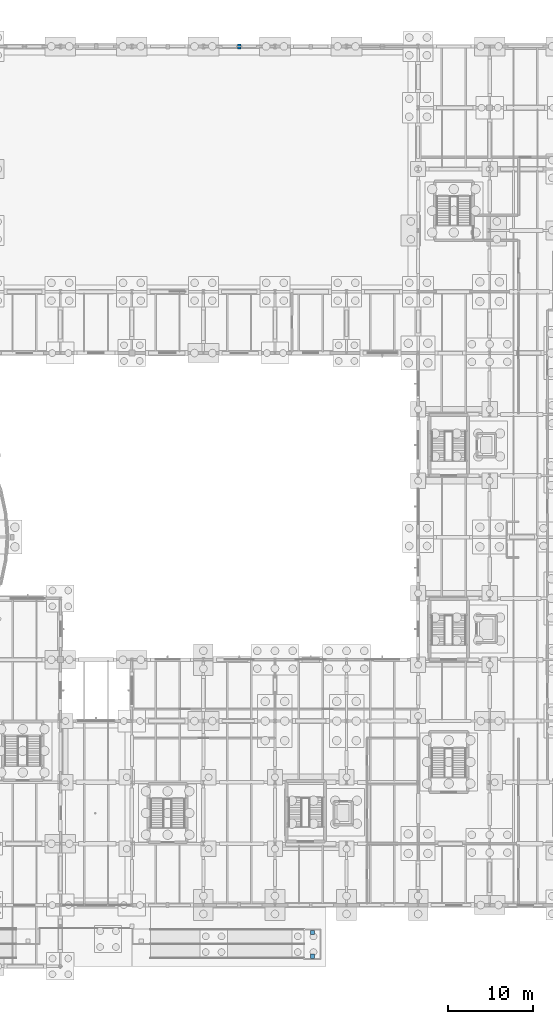
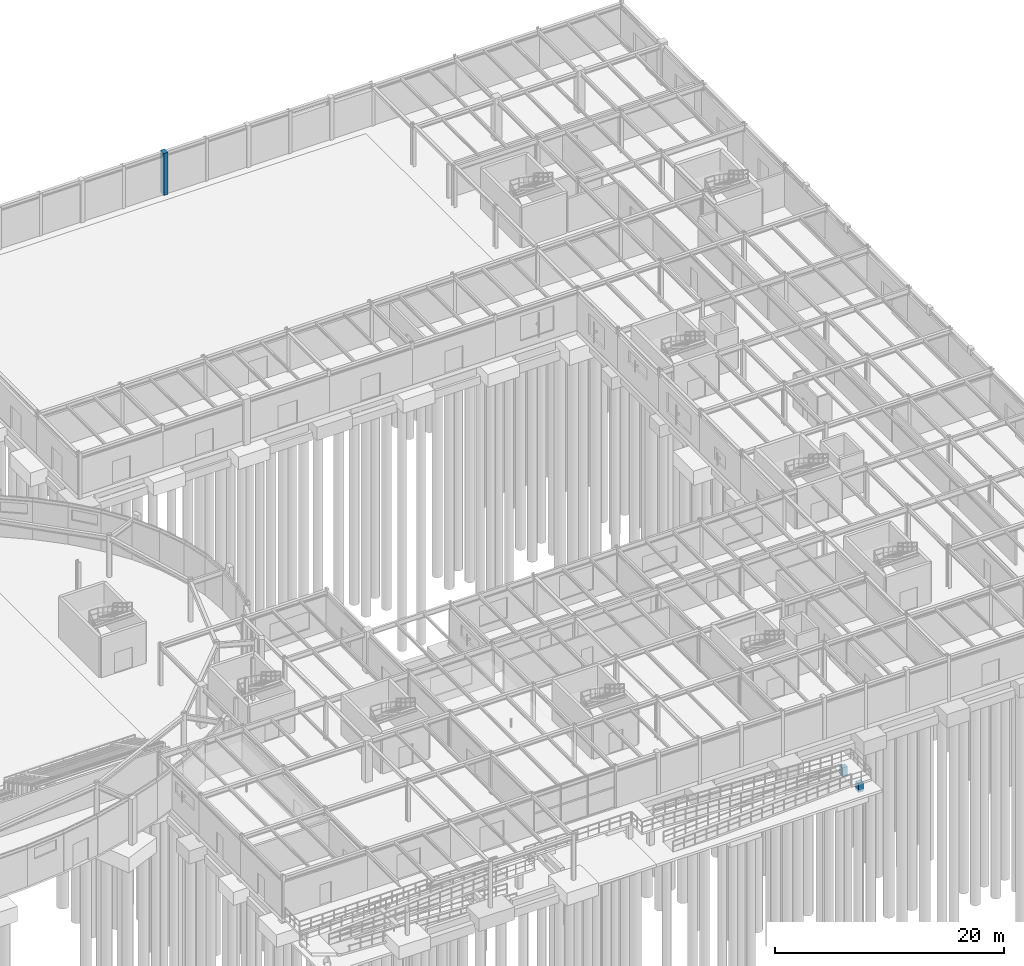
# One storey, part 25 of 93: 3 columns.
"""IFC4 building model written with IfcOpenShell, lengths in metres."""

import ifcopenshell
import ifcopenshell.guid

model = None  # the IFC model being written
_history = None  # IfcOwnerHistory: only IFC2X3 demands one
_inside = {}  # id of a spatial element -> (the spatial element, [elements in it])
_under = {}  # id of a project, library or spatial element -> (it, [spatial elements below it])
_declared = {}  # id of a project -> (the project, [libraries it declares])
_typed = {}  # id of a type object -> (the type object, [elements of that type])
_made_of = {}  # id of a material, layer set ... -> (it, [elements and type objects made of it])


def new_model(schema):
    """Start an empty IFC model of exactly this schema.

    Asked for "IFC4X3", IfcOpenShell would pick the latest addendum, in which some entities
    have other attributes; the version numbers below select the first issue.
    IFC2X3 requires an IfcOwnerHistory on every rooted entity: one is made here for all.
    """
    global model, _history
    if schema == "IFC4X3":
        model = ifcopenshell.file(schema_version=(4, 3, 0, 0))
    else:
        model = ifcopenshell.file(schema=schema)
    _inside.clear()
    _under.clear()
    _declared.clear()
    _typed.clear()
    _made_of.clear()
    _history = None
    if model.schema == "IFC2X3":
        org = make("IfcOrganization", Name="unknown")
        user = make(
            "IfcPersonAndOrganization",
            ThePerson=make("IfcPerson", FamilyName="unknown"),
            TheOrganization=org,
        )
        app = make(
            "IfcApplication",
            ApplicationDeveloper=org,
            Version="unknown",
            ApplicationFullName="unknown",
            ApplicationIdentifier="unknown",
        )
        _history = make(
            "IfcOwnerHistory",
            OwningUser=user,
            OwningApplication=app,
            ChangeAction="ADDED",
            CreationDate=0,
        )
    return model


def make(cls, **values):
    """One entity of the class cls with the attributes given. An attribute that is None is left unset."""
    return model.create_entity(
        cls, **{name: value for name, value in values.items() if value is not None}
    )


def rooted(cls, **values):
    """An entity with a GlobalId (a new one), such as an element, a storey or a relation."""
    return make(cls, GlobalId=ifcopenshell.guid.new(), OwnerHistory=_history, **values)


def si_unit(unit_type, name, prefix=None):
    """IfcSIUnit, for example si_unit("LENGTHUNIT", "METRE", prefix="MILLI")."""
    return make("IfcSIUnit", UnitType=unit_type, Prefix=prefix, Name=name)


def derived_unit(unit_type, elements):
    """IfcDerivedUnit: a product of units, each with its exponent."""
    return make(
        "IfcDerivedUnit",
        Elements=[
            make("IfcDerivedUnitElement", Unit=unit, Exponent=power)
            for unit, power in elements
        ],
        UnitType=unit_type,
    )


def assignment(units):
    """IfcUnitAssignment: the units of a project."""
    return None if units is None else make("IfcUnitAssignment", Units=units)


def point(xyz):
    """IfcCartesianPoint."""
    return None if xyz is None else make("IfcCartesianPoint", Coordinates=xyz)


def direction(xyz):
    """IfcDirection."""
    return None if xyz is None else make("IfcDirection", DirectionRatios=xyz)


def frame(location, z_axis=None, x_axis=None):
    """IfcAxis2Placement3D, a coordinate frame: its origin and axes. An axis left out is left unset."""
    return make(
        "IfcAxis2Placement3D",
        Location=point(location),
        Axis=direction(z_axis),
        RefDirection=direction(x_axis),
    )


def frame_2d(location, x_axis=None):
    """IfcAxis2Placement2D, a coordinate frame in the plane: its origin and x axis."""
    return make(
        "IfcAxis2Placement2D", Location=point(location), RefDirection=direction(x_axis)
    )


def origin():
    """The frame at (0, 0, 0) with its axes left unset."""
    return frame((0.0, 0.0, 0.0))


def origin_2d():
    """The frame at (0, 0) in the plane with its x axis left unset."""
    return frame_2d((0.0, 0.0))


def place(relative_to, where):
    """IfcLocalPlacement: puts the frame where relative to a parent placement (None: the world)."""
    return make(
        "IfcLocalPlacement", PlacementRelTo=relative_to, RelativePlacement=where
    )


def context(
    kind, dimensions, precision=None, world=None, true_north=None, identifier=None
):
    """IfcGeometricRepresentationContext, for example the 3D "Model" context."""
    return make(
        "IfcGeometricRepresentationContext",
        ContextIdentifier=identifier,
        ContextType=kind,
        CoordinateSpaceDimension=dimensions,
        Precision=precision,
        WorldCoordinateSystem=world,
        TrueNorth=true_north,
    )


def subcontext(parent, identifier, kind, view, scale=None):
    """IfcGeometricRepresentationSubContext, for example "Body" below "Model"."""
    return make(
        "IfcGeometricRepresentationSubContext",
        ContextIdentifier=identifier,
        ContextType=kind,
        ParentContext=parent,
        TargetScale=scale,
        TargetView=view,
    )


def project(units=None, contexts=None):
    """IfcProject with its units and contexts."""
    return rooted(
        "IfcProject",
        Name="project",
        RepresentationContexts=contexts,
        UnitsInContext=assignment(units),
    )


def spatial(cls, under=None, at=None, **own):
    """A site, building, storey or space (cls), placed at a placement, below another one or the project."""
    s = rooted(cls, ObjectPlacement=at, **own)
    if under is not None:
        _under.setdefault(under.id(), (under, []))[1].append(s)
    return s


def profile(cls, at=None, kind="AREA", **sizes):
    """A parametric profile (cls). Its sizes go by their IFC names, for example OverallWidth=200.0."""
    return make(cls, ProfileType=kind, Position=at, **sizes)


def rectangle(**sizes):
    """IfcRectangleProfileDef."""
    return profile("IfcRectangleProfileDef", **sizes)


def extrude(swept, where, along, depth):
    """IfcExtrudedAreaSolid: the profile swept, set in the frame where, extruded along a direction by depth."""
    return make(
        "IfcExtrudedAreaSolid",
        SweptArea=swept,
        Position=where,
        ExtrudedDirection=direction(along),
        Depth=depth,
    )


def shape(context_of_items, identifier, shape_type, items):
    """IfcShapeRepresentation: the items that make up one representation, for example the "Body"."""
    return make(
        "IfcShapeRepresentation",
        ContextOfItems=context_of_items,
        RepresentationIdentifier=identifier,
        RepresentationType=shape_type,
        Items=items,
    )


def material(Name=None, Category=None):
    """IfcMaterial."""
    return make("IfcMaterial", Name=Name, Category=Category)


def material_profile(
    of_material, cross_section, Name=None, Category=None, Priority=None
):
    """IfcMaterialProfile: a cross section and its material."""
    return make(
        "IfcMaterialProfile",
        Name=Name,
        Material=of_material,
        Profile=cross_section,
        Priority=Priority,
        Category=Category,
    )


def profile_set(profiles, Name=None, composite=None):
    """IfcMaterialProfileSet."""
    return make(
        "IfcMaterialProfileSet",
        Name=Name,
        MaterialProfiles=profiles,
        CompositeProfile=composite,
    )


def made_of(thing, what):
    """Note that an element or type object is made of a material, layer set ...; save() writes the relation."""
    if what is not None:
        _made_of.setdefault(what.id(), (what, []))[1].append(thing)
    return thing


def type_object(cls, material=None, **own):
    """A type object (cls), such as IfcWallType, which elements share."""
    return made_of(rooted(cls, **own), material)


def element(
    cls,
    number,
    at=None,
    inside=None,
    cuts=None,
    type_object=None,
    material=None,
    context=None,
    identifier="Body",
    shape_type=None,
    held_by="IfcProductDefinitionShape",
    body=None,
    shapes=None,
    **own,
):
    """One element of the class cls, such as IfcWall. Its Tag is "e" and its number.

    at: its placement. inside: the storey or other place that contains it. cuts: it is an
    opening in that element (IfcRelVoidsElement). A single representation is given by context,
    identifier, shape_type and body (its items); several are given by shapes. held_by: the class
    of the entity that holds the representations. save() writes the other relations.
    """
    e = rooted(cls, Tag="e%d" % number, ObjectPlacement=at, **own)
    if body is not None:
        shapes = [shape(context, identifier, shape_type, body)]
    if shapes is not None:
        e.Representation = make(held_by, Representations=shapes)
    if inside is not None:
        _inside.setdefault(inside.id(), (inside, []))[1].append(e)
    if cuts is not None:
        rooted(
            "IfcRelVoidsElement", RelatingBuildingElement=cuts, RelatedOpeningElement=e
        )
    if type_object is not None:
        _typed.setdefault(type_object.id(), (type_object, []))[1].append(e)
    return made_of(e, material)


def aggregate(whole, parts):
    """IfcRelAggregates: a whole, such as a stair, and the parts it consists of."""
    return rooted("IfcRelAggregates", RelatingObject=whole, RelatedObjects=parts)


def save(model, path):
    """Write the relations noted so far, then the file.

    IfcRelAggregates (storeys below a building ...), IfcRelContainedInSpatialStructure (elements
    in a storey), IfcRelDefinesByType, IfcRelAssociatesMaterial and IfcRelDeclares: one each for
    every whole, place, type object, material and project.
    """
    for whole, parts in _under.values():
        aggregate(whole, parts)
    for where, things in _inside.values():
        rooted(
            "IfcRelContainedInSpatialStructure",
            RelatedElements=things,
            RelatingStructure=where,
        )
    for kind, things in _typed.values():
        rooted("IfcRelDefinesByType", RelatedObjects=things, RelatingType=kind)
    for what, things in _made_of.values():
        rooted("IfcRelAssociatesMaterial", RelatedObjects=things, RelatingMaterial=what)
    for by, libraries in _declared.values():
        rooted("IfcRelDeclares", RelatingContext=by, RelatedDefinitions=libraries)
    model.write(path)


model = new_model("IFC4")

# Units and contexts
model_context = context("Model", 3, precision=1e-05, world=origin(), true_north=direction((0.0, 1.0)))
body_context = subcontext(model_context, "Body", "Model", "MODEL_VIEW")
ifc_project = project(units=[si_unit("LENGTHUNIT", "METRE"), si_unit("AREAUNIT", "SQUARE_METRE"), si_unit("VOLUMEUNIT", "CUBIC_METRE"), si_unit("PLANEANGLEUNIT", "RADIAN"), si_unit("MASSUNIT", "GRAM", prefix="KILO"), derived_unit("THERMALTRANSMITTANCEUNIT", [(si_unit("MASSUNIT", "GRAM", prefix="KILO"), 1), (si_unit("TIMEUNIT", "SECOND"), -3), (si_unit("THERMODYNAMICTEMPERATUREUNIT", "KELVIN"), -1)])], contexts=[model_context])

# Site, building, storey
site_placement = place(None, origin())
site = spatial("IfcSite", under=ifc_project, at=site_placement, CompositionType="ELEMENT")
building_placement = place(site_placement, origin())
building = spatial("IfcBuilding", under=site, at=building_placement, Name="Kharveza Railside Sports Centre", CompositionType="ELEMENT")
storey_placement = place(building_placement, origin())
storey = spatial("IfcBuildingStorey", under=building, at=storey_placement, Name="L00", CompositionType="ELEMENT", Elevation=0.0)

# Columns
ifc_material = material(Name="Concrete C35/45", Category="concrete")
ifc_material_profile_1 = material_profile(ifc_material, rectangle(XDim=0.5, YDim=0.5, at=origin_2d()), Name="RC 500x500")
ifc_profile_set_1 = profile_set([ifc_material_profile_1], Name="Concrete C35/45")
column_type_1 = type_object("IfcColumnType", Name="COL-RC03", PredefinedType="COLUMN", material=ifc_profile_set_1)
for number, where, z_axis, x_axis, name in (
    (1, (130.39990234375, 1.199951171875, -2.06005859375), (0.0, 0.0, 1.0), (1.0, 0.0, 0.0), "COL-RMP-EXT-E-C1"),
    (2, (130.39990234375, 3.97998046875, -2.06005859375), (0.0, 0.0, 1.0), (1.0, 0.0, 0.0), "COL-RMP-EXT-E-C2"),
):
    element("IfcColumn", number, at=place(storey_placement, frame(where, z_axis=z_axis, x_axis=x_axis)), inside=storey, type_object=column_type_1, Name=name, PredefinedType="COLUMN", context=body_context, shape_type="SweptSolid", body=[
        extrude(rectangle(XDim=0.5, YDim=0.5, at=origin_2d()), origin(), (0.0, 0.0, 1.0), 0.949951171875),
    ])
ifc_material_profile_2 = material_profile(ifc_material, rectangle(XDim=0.39990234375, YDim=0.60009765625, at=origin_2d()), Name="RC 400x600")
ifc_profile_set_2 = profile_set([ifc_material_profile_2], Name="Concrete C35/45")
column_type_2 = type_object("IfcColumnType", Name="COL-RC05", PredefinedType="PILASTER", material=ifc_profile_set_2)
column_placement = place(storey_placement, frame((121.800048828125, 108.0, 0.0), z_axis=(0.0, 0.0, 1.0), x_axis=(1.0, 0.0, 0.0)))
element("IfcColumn", 3, at=column_placement, inside=storey, type_object=column_type_2, Name="COL-PIL-TRK-04", PredefinedType="PILASTER", context=body_context, shape_type="SweptSolid", body=[
    extrude(rectangle(XDim=0.39990234375, YDim=0.60009765625, at=origin_2d()), origin(), (0.0, 0.0, 1.0), 4.5),
])

save(model, "model.ifc")
